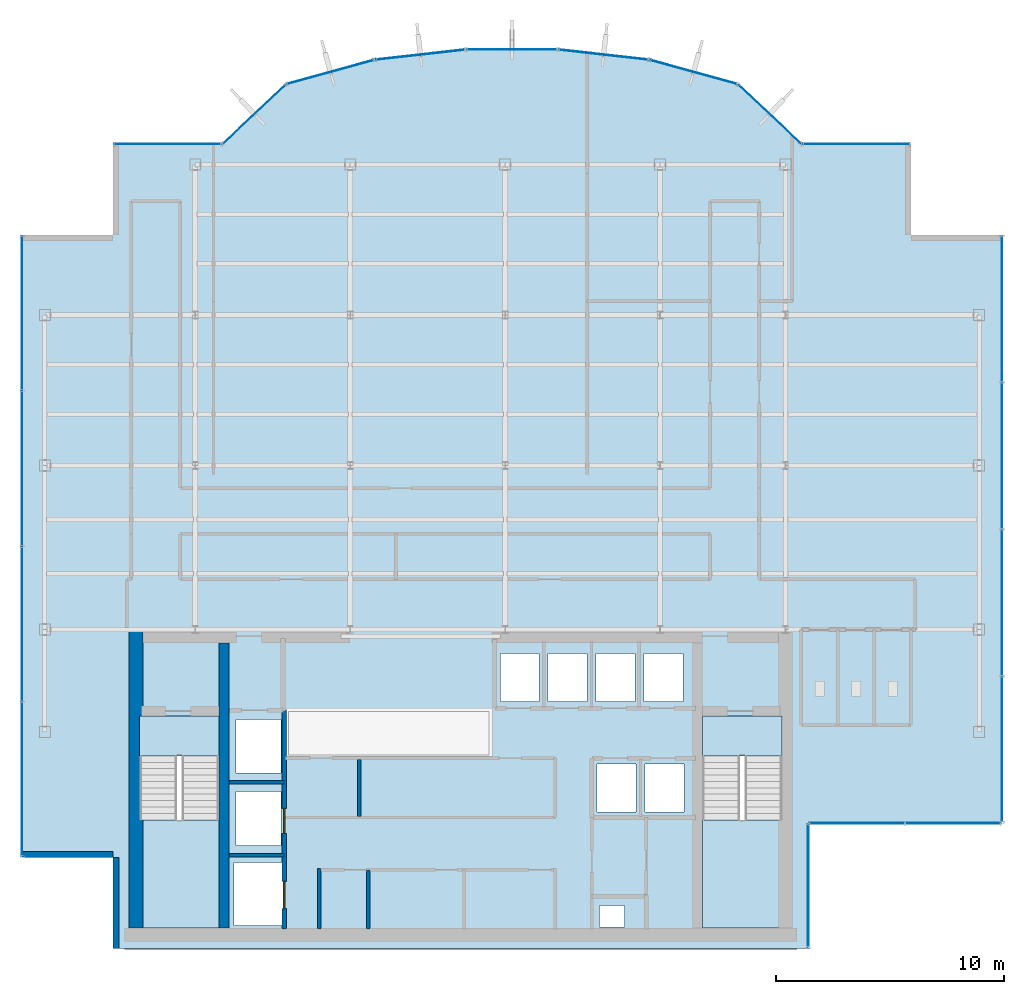
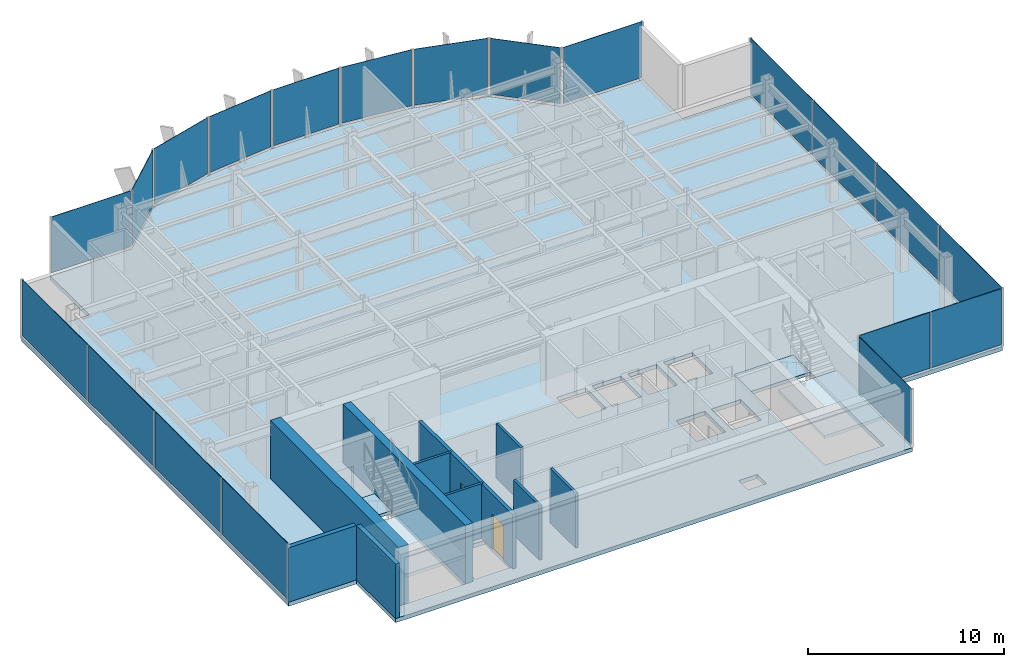
# One storey, part 16 of 22: 20 plates, 10 walls, 5 slabs, 2 doors, 2 openings, 15 elements without a shape of their own.
"""IFC4 building model written with IfcOpenShell, lengths in metres."""

from ifc_helpers import new_model, si_unit, derived_unit, direction, frame, frame_2d, origin, origin_2d, place, context, subcontext, project, spatial, polyline, rectangle, outline, extrude, source, transform, mapped, material, layer, layer_set, type_object, element, fill, aggregate, save


model = new_model("IFC4")

# Units and contexts
model_context = context("Model", 3, precision=1e-05, world=origin(), true_north=direction((0.0, 1.0)))
body_context = subcontext(model_context, "Body", "Model", "MODEL_VIEW")
ifc_project = project(units=[si_unit("LENGTHUNIT", "METRE"), si_unit("AREAUNIT", "SQUARE_METRE"), si_unit("VOLUMEUNIT", "CUBIC_METRE"), si_unit("PLANEANGLEUNIT", "RADIAN"), si_unit("MASSUNIT", "GRAM", prefix="KILO"), derived_unit("THERMALTRANSMITTANCEUNIT", [(si_unit("POWERUNIT", "WATT"), 1), (si_unit("LENGTHUNIT", "METRE"), -2), (si_unit("THERMODYNAMICTEMPERATUREUNIT", "KELVIN"), -1)])], contexts=[model_context])

# Site, building, storey
site_placement = place(None, origin())
site = spatial("IfcSite", under=ifc_project, at=site_placement, CompositionType="ELEMENT")
building_placement = place(site_placement, origin())
building = spatial("IfcBuilding", under=site, at=building_placement, Name="Skarnbrae Concourse Arena and Tower", CompositionType="ELEMENT")
storey_placement = place(building_placement, frame((0.0, 0.0, 284.35009765625)))
storey = spatial("IfcBuildingStorey", under=building, at=storey_placement, Name="L74", CompositionType="ELEMENT", Elevation=284.35009765625)

# Stair, slab
ifc_material_1 = material(Name="Concrete 40 MPa (C40/50)", Category="concrete")
stair_type = type_object("IfcStairType", Name="STAIR-DOGLEG-1650", PredefinedType="HALF_TURN_STAIR", material=ifc_material_1)
stair_1_placement = place(storey_placement, origin())
stair_1 = element("IfcStair", 1, at=stair_1_placement, inside=storey, type_object=stair_type, Name="L74 Protected Exit Stair ST-1", PredefinedType="HALF_TURN_STAIR")
ifc_layer_1 = layer(ifc_material_1, 0.199951171875)
ifc_layer_set_1 = layer_set([ifc_layer_1], Name="Concrete 40 MPa (C40/50)")
slab_type_1 = type_object("IfcSlabType", Name="SLAB-LANDING-200", PredefinedType="LANDING", material=ifc_layer_set_1)
slab_1_placement = place(storey_placement, frame((0.0, 0.0, 1.625)))
slab_1 = element("IfcSlab", 2, at=slab_1_placement, type_object=slab_type_1, Name="ST-1 landing 1", PredefinedType="LANDING", context=body_context, shape_type="SweptSolid", body=[
    extrude(outline(polyline([(5.14990234375, 5.64990234375), (5.14990234375, 0.89990234375), (8.64990234375, 0.89990234375), (8.64990234375, 5.64990234375), (5.14990234375, 5.64990234375)])), origin(), (0.0, 0.0, 1.0), 0.199951171875),
])
aggregate(stair_1, [slab_1])

stair_2_placement = place(storey_placement, origin())
stair_2 = element("IfcStair", 3, at=stair_2_placement, inside=storey, type_object=stair_type, Name="L74 Protected Exit Stair ST-2", PredefinedType="HALF_TURN_STAIR")
slab_2_placement = place(storey_placement, frame((0.0, 0.0, 1.625)))
slab_2 = element("IfcSlab", 4, at=slab_2_placement, type_object=slab_type_1, Name="ST-2 landing 1", PredefinedType="LANDING", context=body_context, shape_type="SweptSolid", body=[
    extrude(outline(polyline([(29.85009765625, 5.64990234375), (29.85009765625, 0.89990234375), (33.35009765625, 0.89990234375), (33.35009765625, 5.64990234375), (29.85009765625, 5.64990234375)])), origin(), (0.0, 0.0, 1.0), 0.199951171875),
])
aggregate(stair_2, [slab_2])

# Slabs
slab_3_placement = place(storey_placement, frame((0.0, 0.0, -0.2001953125)))
element("IfcSlab", 5, at=slab_3_placement, inside=storey, type_object=slab_type_1, Name="L74 Core stair ST1 floor landing", PredefinedType="LANDING", context=body_context, shape_type="SweptSolid", body=[
    extrude(outline(polyline([(5.14990234375, 10.199951171875), (5.14990234375, 8.449951171875), (8.64990234375, 8.449951171875), (8.64990234375, 10.199951171875), (5.14990234375, 10.199951171875)])), origin(), (0.0, 0.0, 1.0), 0.2001953125),
])
slab_4_placement = place(storey_placement, frame((0.0, 0.0, -0.2001953125)))
element("IfcSlab", 6, at=slab_4_placement, inside=storey, type_object=slab_type_1, Name="L74 Core stair ST2 floor landing", PredefinedType="LANDING", context=body_context, shape_type="SweptSolid", body=[
    extrude(outline(polyline([(29.85009765625, 10.199951171875), (29.85009765625, 8.449951171875), (33.35009765625, 8.449951171875), (33.35009765625, 10.199951171875), (29.85009765625, 10.199951171875)])), origin(), (0.0, 0.0, 1.0), 0.2001953125),
])
ifc_layer_2 = layer(ifc_material_1, 0.25)
ifc_layer_set_2 = layer_set([ifc_layer_2], Name="Concrete 40 MPa (C40/50)")
slab_type_2 = type_object("IfcSlabType", Name="SLAB-TOWER-250", PredefinedType="FLOOR", material=ifc_layer_set_2)
slab_5_placement = place(storey_placement, frame((0.0, 0.0, -0.25)))
element("IfcSlab", 7, at=slab_5_placement, inside=storey, type_object=slab_type_2, Name="L74 Structural floor slab", PredefinedType="FLOOR", context=body_context, shape_type="SweptSolid", body=[
    extrude(outline(polyline([(4.0, 0.0), (34.5, 0.0), (34.5, 5.5), (43.0, 5.5), (43.0, 31.300048828125), (39.0, 31.300048828125), (39.0, 35.300048828125), (34.199951171875, 35.300048828125), (31.40966796875, 37.9267578125), (27.52587890625, 38.9970703125), (23.51708984375, 39.44677734375), (19.48291015625, 39.44677734375), (15.47412109375, 38.9970703125), (11.59033203125, 37.9267578125), (8.800048828125, 35.300048828125), (4.0, 35.300048828125), (4.0, 31.300048828125), (0.0, 31.300048828125), (0.0, 4.0), (4.0, 4.0), (4.0, 0.0)]), holes=[polyline([(9.294921875, 1.02001953125), (9.294921875, 3.780029296875), (11.455078125, 3.780029296875), (11.455078125, 1.02001953125), (9.294921875, 1.02001953125)]), polyline([(8.64990234375, 10.199951171875), (8.64990234375, 0.89990234375), (5.14990234375, 0.89990234375), (5.14990234375, 10.199951171875), (8.64990234375, 10.199951171875)]), polyline([(9.39501953125, 6.8798828125), (11.35498046875, 6.8798828125), (11.35498046875, 4.52001953125), (9.39501953125, 4.52001953125), (9.39501953125, 6.8798828125)]), polyline([(9.39501953125, 7.695068359375), (9.39501953125, 10.054931640625), (11.35498046875, 10.054931640625), (11.35498046875, 7.695068359375), (9.39501953125, 7.695068359375)]), polyline([(20.985107421875, 12.955078125), (22.695068359375, 12.955078125), (22.695068359375, 10.844970703125), (20.985107421875, 10.844970703125), (20.985107421875, 12.955078125)]), polyline([(23.0849609375, 12.955078125), (24.794921875, 12.955078125), (24.794921875, 10.844970703125), (23.0849609375, 10.844970703125), (23.0849609375, 12.955078125)]), polyline([(25.35009765625, 0.949951171875), (25.35009765625, 1.889892578125), (26.43994140625, 1.889892578125), (26.43994140625, 0.949951171875), (25.35009765625, 0.949951171875)]), polyline([(33.35009765625, 10.199951171875), (33.35009765625, 0.89990234375), (29.85009765625, 0.89990234375), (29.85009765625, 10.199951171875), (33.35009765625, 10.199951171875)]), polyline([(25.235107421875, 8.10498046875), (26.945068359375, 8.10498046875), (26.945068359375, 5.9951171875), (25.235107421875, 5.9951171875), (25.235107421875, 8.10498046875)]), polyline([(27.3349609375, 5.9951171875), (27.3349609375, 8.10498046875), (29.044921875, 8.10498046875), (29.044921875, 5.9951171875), (27.3349609375, 5.9951171875)]), polyline([(25.18505859375, 12.955078125), (26.89501953125, 12.955078125), (26.89501953125, 10.844970703125), (25.18505859375, 10.844970703125), (25.18505859375, 12.955078125)]), polyline([(27.284912109375, 12.955078125), (28.9951171875, 12.955078125), (28.9951171875, 10.844970703125), (27.284912109375, 10.844970703125), (27.284912109375, 12.955078125)])]), origin(), (0.0, 0.0, 1.0), 0.25),
])

# Curtain wall, plate
ifc_material_2 = material(Name="Bronze anodised aluminium 6063-T6", Category="aluminium")
curtain_wall_type = type_object("IfcCurtainWallType", Name="CW-SYS-05-HIGHZONE", PredefinedType="USERDEFINED", material=ifc_material_2)
curtain_wall_1_placement = place(storey_placement, origin())
curtain_wall_1 = element("IfcCurtainWall", 8, at=curtain_wall_1_placement, inside=storey, type_object=curtain_wall_type, Name="L74 Unitised curtain wall CW-L74-E02", ObjectType="UNITISED CURTAIN WALL", PredefinedType="USERDEFINED")
ifc_material_3 = material(Name="Low-E triple insulating glass", Category="glass")
ifc_layer_3 = layer(ifc_material_3, 0.030029296875)
ifc_layer_set_3 = layer_set([ifc_layer_3], Name="Low-E triple insulating glass")
plate_type = type_object("IfcPlateType", Name="CWP-CW-05", PredefinedType="CURTAIN_PANEL", material=ifc_layer_set_3)
shared_shape_1 = source(origin(), body_context, "Body", "SweptSolid", [
    extrude(rectangle(XDim=5.35009765625, YDim=0.030029296875, at=origin_2d()), origin(), (0.0, 0.0, 1.0), 3.5),
])
plate_1_placement = place(storey_placement, frame((34.5, 2.75, 0.14990234375), z_axis=(0.0, 0.0, 1.0), x_axis=(0.0, 1.0, 0.0)))
plate_1 = element("IfcPlate", 9, at=plate_1_placement, type_object=plate_type, Name="CW-L74-E02 Low-E Glazing Panel 1", PredefinedType="CURTAIN_PANEL", context=body_context, shape_type="MappedRepresentation", body=[
    mapped(shared_shape_1, transform((0.0, 0.0, 0.0))),
])
aggregate(curtain_wall_1, [plate_1])

# Curtain wall, plates
curtain_wall_2_placement = place(storey_placement, origin())
curtain_wall_2 = element("IfcCurtainWall", 10, at=curtain_wall_2_placement, inside=storey, type_object=curtain_wall_type, Name="L74 Unitised curtain wall CW-L74-E03", ObjectType="UNITISED CURTAIN WALL", PredefinedType="USERDEFINED")
shared_shape_2 = source(origin(), body_context, "Body", "SweptSolid", [
    extrude(rectangle(XDim=4.137451171875, YDim=0.030029296875, at=origin_2d()), origin(), (0.0, 0.0, 1.0), 3.5),
])
plate_2_placement = place(storey_placement, frame((36.643798828125, 5.5, 0.14990234375), z_axis=(0.0, 0.0, 1.0), x_axis=(1.0, 0.0, 0.0)))
plate_2 = element("IfcPlate", 11, at=plate_2_placement, type_object=plate_type, Name="CW-L74-E03 Low-E Glazing Panel 1", PredefinedType="CURTAIN_PANEL", context=body_context, shape_type="MappedRepresentation", body=[
    mapped(shared_shape_2, transform((0.0, 0.0, 0.0))),
])
plate_3_placement = place(storey_placement, frame((40.856201171875, 5.5, 0.14990234375), z_axis=(0.0, 0.0, 1.0), x_axis=(1.0, 0.0, 0.0)))
plate_3 = element("IfcPlate", 12, at=plate_3_placement, type_object=plate_type, Name="CW-L74-E03 Low-E Glazing Panel 2", PredefinedType="CURTAIN_PANEL", context=body_context, shape_type="MappedRepresentation", body=[
    mapped(shared_shape_2, transform((0.0, 0.0, 0.0))),
])
aggregate(curtain_wall_2, [plate_2, plate_3])

# Curtain wall, plate
curtain_wall_3_placement = place(storey_placement, origin())
curtain_wall_3 = element("IfcCurtainWall", 13, at=curtain_wall_3_placement, inside=storey, type_object=curtain_wall_type, Name="L74 Unitised curtain wall CW-L74-E07", ObjectType="UNITISED CURTAIN WALL", PredefinedType="USERDEFINED")
shared_shape_3 = source(origin(), body_context, "Body", "SweptSolid", [
    extrude(rectangle(XDim=4.64990234375, YDim=0.030029296875, at=origin_2d()), origin(), (0.0, 0.0, 1.0), 3.5),
])
plate_4_placement = place(storey_placement, frame((36.60009765625, 35.300048828125, 0.14990234375), z_axis=(0.0, 0.0, 1.0), x_axis=(-1.0, 0.0, 0.0)))
plate_4 = element("IfcPlate", 14, at=plate_4_placement, type_object=plate_type, Name="CW-L74-E07 Low-E Glazing Panel 1", PredefinedType="CURTAIN_PANEL", context=body_context, shape_type="MappedRepresentation", body=[
    mapped(shared_shape_3, transform((0.0, 0.0, 0.0))),
])
aggregate(curtain_wall_3, [plate_4])

curtain_wall_4_placement = place(storey_placement, origin())
curtain_wall_4 = element("IfcCurtainWall", 15, at=curtain_wall_4_placement, inside=storey, type_object=curtain_wall_type, Name="L74 Unitised curtain wall CW-L74-E15", ObjectType="UNITISED CURTAIN WALL", PredefinedType="USERDEFINED")
plate_5_placement = place(storey_placement, frame((6.39990234375, 35.300048828125, 0.14990234375), z_axis=(0.0, 0.0, 1.0), x_axis=(-1.0, 0.0, 0.0)))
plate_5 = element("IfcPlate", 16, at=plate_5_placement, type_object=plate_type, Name="CW-L74-E15 Low-E Glazing Panel 1", PredefinedType="CURTAIN_PANEL", context=body_context, shape_type="MappedRepresentation", body=[
    mapped(shared_shape_3, transform((0.0, 0.0, 0.0))),
])
aggregate(curtain_wall_4, [plate_5])

curtain_wall_5_placement = place(storey_placement, origin())
curtain_wall_5 = element("IfcCurtainWall", 17, at=curtain_wall_5_placement, inside=storey, type_object=curtain_wall_type, Name="L74 Unitised curtain wall CW-L74-E08", ObjectType="UNITISED CURTAIN WALL", PredefinedType="USERDEFINED")
shared_shape_4 = source(origin(), body_context, "Body", "SweptSolid", [
    extrude(rectangle(XDim=3.68212890625, YDim=0.030029296875, at=origin_2d()), origin(), (0.0, 0.0, 1.0), 3.5),
])
plate_6_placement = place(storey_placement, frame((32.804931640625, 36.61328125, 0.14990234375), z_axis=(0.0, 0.0, 1.0), x_axis=(-0.728130555214, 0.685438468838, 0.0)))
plate_6 = element("IfcPlate", 18, at=plate_6_placement, type_object=plate_type, Name="CW-L74-E08 Low-E Glazing Panel 1", PredefinedType="CURTAIN_PANEL", context=body_context, shape_type="MappedRepresentation", body=[
    mapped(shared_shape_4, transform((0.0, 0.0, 0.0))),
])
aggregate(curtain_wall_5, [plate_6])

curtain_wall_6_placement = place(storey_placement, origin())
curtain_wall_6 = element("IfcCurtainWall", 19, at=curtain_wall_6_placement, inside=storey, type_object=curtain_wall_type, Name="L74 Unitised curtain wall CW-L74-E14", ObjectType="UNITISED CURTAIN WALL", PredefinedType="USERDEFINED")
plate_7_placement = place(storey_placement, frame((10.195068359375, 36.61328125, 0.14990234375), z_axis=(0.0, 0.0, 1.0), x_axis=(-0.728130555214, -0.685438468838, 0.0)))
plate_7 = element("IfcPlate", 20, at=plate_7_placement, type_object=plate_type, Name="CW-L74-E14 Low-E Glazing Panel 1", PredefinedType="CURTAIN_PANEL", context=body_context, shape_type="MappedRepresentation", body=[
    mapped(shared_shape_4, transform((0.0, 0.0, 0.0))),
])
aggregate(curtain_wall_6, [plate_7])

curtain_wall_7_placement = place(storey_placement, origin())
curtain_wall_7 = element("IfcCurtainWall", 21, at=curtain_wall_7_placement, inside=storey, type_object=curtain_wall_type, Name="L74 Unitised curtain wall CW-L74-E09", ObjectType="UNITISED CURTAIN WALL", PredefinedType="USERDEFINED")
shared_shape_5 = source(origin(), body_context, "Body", "SweptSolid", [
    extrude(rectangle(XDim=3.878662109375, YDim=0.030029296875, at=origin_2d()), origin(), (0.0, 0.0, 1.0), 3.5),
])
plate_8_placement = place(storey_placement, frame((29.4677734375, 38.4619140625, 0.14990234375), z_axis=(0.0, 0.0, 1.0), x_axis=(-0.964057388766, 0.265694093207, 0.0)))
plate_8 = element("IfcPlate", 22, at=plate_8_placement, type_object=plate_type, Name="CW-L74-E09 Low-E Glazing Panel 1", PredefinedType="CURTAIN_PANEL", context=body_context, shape_type="MappedRepresentation", body=[
    mapped(shared_shape_5, transform((0.0, 0.0, 0.0))),
])
aggregate(curtain_wall_7, [plate_8])

curtain_wall_8_placement = place(storey_placement, origin())
curtain_wall_8 = element("IfcCurtainWall", 23, at=curtain_wall_8_placement, inside=storey, type_object=curtain_wall_type, Name="L74 Unitised curtain wall CW-L74-E13", ObjectType="UNITISED CURTAIN WALL", PredefinedType="USERDEFINED")
plate_9_placement = place(storey_placement, frame((13.5322265625, 38.4619140625, 0.14990234375), z_axis=(0.0, 0.0, 1.0), x_axis=(-0.964057388766, -0.265694093207, 0.0)))
plate_9 = element("IfcPlate", 24, at=plate_9_placement, type_object=plate_type, Name="CW-L74-E13 Low-E Glazing Panel 1", PredefinedType="CURTAIN_PANEL", context=body_context, shape_type="MappedRepresentation", body=[
    mapped(shared_shape_5, transform((0.0, 0.0, 0.0))),
])
aggregate(curtain_wall_8, [plate_9])

curtain_wall_9_placement = place(storey_placement, origin())
curtain_wall_9 = element("IfcCurtainWall", 25, at=curtain_wall_9_placement, inside=storey, type_object=curtain_wall_type, Name="L74 Unitised curtain wall CW-L74-E10", ObjectType="UNITISED CURTAIN WALL", PredefinedType="USERDEFINED")
shared_shape_6 = source(origin(), body_context, "Body", "SweptSolid", [
    extrude(rectangle(XDim=3.8837890625, YDim=0.030029296875, at=origin_2d()), origin(), (0.0, 0.0, 1.0), 3.5),
])
plate_10_placement = place(storey_placement, frame((25.521484375, 39.221923828125, 0.14990234375), z_axis=(0.0, 0.0, 1.0), x_axis=(-0.993768891873, 0.111460259941, 0.0)))
plate_10 = element("IfcPlate", 26, at=plate_10_placement, type_object=plate_type, Name="CW-L74-E10 Low-E Glazing Panel 1", PredefinedType="CURTAIN_PANEL", context=body_context, shape_type="MappedRepresentation", body=[
    mapped(shared_shape_6, transform((0.0, 0.0, 0.0))),
])
aggregate(curtain_wall_9, [plate_10])

curtain_wall_10_placement = place(storey_placement, origin())
curtain_wall_10 = element("IfcCurtainWall", 27, at=curtain_wall_10_placement, inside=storey, type_object=curtain_wall_type, Name="L74 Unitised curtain wall CW-L74-E12", ObjectType="UNITISED CURTAIN WALL", PredefinedType="USERDEFINED")
plate_11_placement = place(storey_placement, frame((17.478515625, 39.221923828125, 0.14990234375), z_axis=(0.0, 0.0, 1.0), x_axis=(-0.993768891873, -0.111460259941, 0.0)))
plate_11 = element("IfcPlate", 28, at=plate_11_placement, type_object=plate_type, Name="CW-L74-E12 Low-E Glazing Panel 1", PredefinedType="CURTAIN_PANEL", context=body_context, shape_type="MappedRepresentation", body=[
    mapped(shared_shape_6, transform((0.0, 0.0, 0.0))),
])
aggregate(curtain_wall_10, [plate_11])

curtain_wall_11_placement = place(storey_placement, origin())
curtain_wall_11 = element("IfcCurtainWall", 29, at=curtain_wall_11_placement, inside=storey, type_object=curtain_wall_type, Name="L74 Unitised curtain wall CW-L74-E11", ObjectType="UNITISED CURTAIN WALL", PredefinedType="USERDEFINED")
shared_shape_7 = source(origin(), body_context, "Body", "SweptSolid", [
    extrude(rectangle(XDim=3.884521484375, YDim=0.030029296875, at=origin_2d()), origin(), (0.0, 0.0, 1.0), 3.5),
])
plate_12_placement = place(storey_placement, frame((21.5, 39.44677734375, 0.14990234375), z_axis=(0.0, 0.0, 1.0), x_axis=(-1.0, 0.0, 0.0)))
plate_12 = element("IfcPlate", 30, at=plate_12_placement, type_object=plate_type, Name="CW-L74-E11 Low-E Glazing Panel 1", PredefinedType="CURTAIN_PANEL", context=body_context, shape_type="MappedRepresentation", body=[
    mapped(shared_shape_7, transform((0.0, 0.0, 0.0))),
])
aggregate(curtain_wall_11, [plate_12])

# Curtain wall, plates
curtain_wall_12_placement = place(storey_placement, origin())
curtain_wall_12 = element("IfcCurtainWall", 31, at=curtain_wall_12_placement, inside=storey, type_object=curtain_wall_type, Name="L74 Unitised curtain wall CW-L74-E18", ObjectType="UNITISED CURTAIN WALL", PredefinedType="USERDEFINED")
shared_shape_8 = source(origin(), body_context, "Body", "SweptSolid", [
    extrude(rectangle(XDim=6.71240234375, YDim=0.030029296875, at=origin_2d()), origin(), (0.0, 0.0, 1.0), 3.5),
])
plate_13_placement = place(storey_placement, frame((0.0, 27.86865234375, 0.14990234375), z_axis=(0.0, 0.0, 1.0), x_axis=(0.0, -1.0, 0.0)))
plate_13 = element("IfcPlate", 32, at=plate_13_placement, type_object=plate_type, Name="CW-L74-E18 Low-E Glazing Panel 1", PredefinedType="CURTAIN_PANEL", context=body_context, shape_type="MappedRepresentation", body=[
    mapped(shared_shape_8, transform((0.0, 0.0, 0.0))),
])
plate_14_placement = place(storey_placement, frame((0.0, 7.431396484375, 0.14990234375), z_axis=(0.0, 0.0, 1.0), x_axis=(0.0, -1.0, 0.0)))
plate_14 = element("IfcPlate", 33, at=plate_14_placement, type_object=plate_type, Name="CW-L74-E18 Low-E Glazing Panel 4", PredefinedType="CURTAIN_PANEL", context=body_context, shape_type="MappedRepresentation", body=[
    mapped(shared_shape_8, transform((0.0, 0.0, 0.0))),
])
shared_shape_9 = source(origin(), body_context, "Body", "SweptSolid", [
    extrude(rectangle(XDim=6.75, YDim=0.030029296875, at=origin_2d()), origin(), (0.0, 0.0, 1.0), 3.5),
])
plate_15_placement = place(storey_placement, frame((0.0, 21.0625, 0.14990234375), z_axis=(0.0, 0.0, 1.0), x_axis=(0.0, -1.0, 0.0)))
plate_15 = element("IfcPlate", 34, at=plate_15_placement, type_object=plate_type, Name="CW-L74-E18 Low-E Glazing Panel 2", PredefinedType="CURTAIN_PANEL", context=body_context, shape_type="MappedRepresentation", body=[
    mapped(shared_shape_9, transform((0.0, 0.0, 0.0))),
])
plate_16_placement = place(storey_placement, frame((0.0, 14.237548828125, 0.14990234375), z_axis=(0.0, 0.0, 1.0), x_axis=(0.0, -1.0, 0.0)))
plate_16 = element("IfcPlate", 35, at=plate_16_placement, type_object=plate_type, Name="CW-L74-E18 Low-E Glazing Panel 3", PredefinedType="CURTAIN_PANEL", context=body_context, shape_type="MappedRepresentation", body=[
    mapped(shared_shape_9, transform((0.0, 0.0, 0.0))),
])
aggregate(curtain_wall_12, [plate_13, plate_15, plate_16, plate_14])

curtain_wall_13_placement = place(storey_placement, origin())
curtain_wall_13 = element("IfcCurtainWall", 36, at=curtain_wall_13_placement, inside=storey, type_object=curtain_wall_type, Name="L74 Unitised curtain wall CW-L74-E04", ObjectType="UNITISED CURTAIN WALL", PredefinedType="USERDEFINED")
shared_shape_10 = source(origin(), body_context, "Body", "SweptSolid", [
    extrude(rectangle(XDim=6.33740234375, YDim=0.030029296875, at=origin_2d()), origin(), (0.0, 0.0, 1.0), 3.5),
])
plate_17_placement = place(storey_placement, frame((43.0, 8.743896484375, 0.14990234375), z_axis=(0.0, 0.0, 1.0), x_axis=(0.0, 1.0, 0.0)))
plate_17 = element("IfcPlate", 37, at=plate_17_placement, type_object=plate_type, Name="CW-L74-E04 Low-E Glazing Panel 1", PredefinedType="CURTAIN_PANEL", context=body_context, shape_type="MappedRepresentation", body=[
    mapped(shared_shape_10, transform((0.0, 0.0, 0.0))),
])
plate_18_placement = place(storey_placement, frame((43.0, 28.05615234375, 0.14990234375), z_axis=(0.0, 0.0, 1.0), x_axis=(0.0, 1.0, 0.0)))
plate_18 = element("IfcPlate", 38, at=plate_18_placement, type_object=plate_type, Name="CW-L74-E04 Low-E Glazing Panel 4", PredefinedType="CURTAIN_PANEL", context=body_context, shape_type="MappedRepresentation", body=[
    mapped(shared_shape_10, transform((0.0, 0.0, 0.0))),
])
shared_shape_11 = source(origin(), body_context, "Body", "SweptSolid", [
    extrude(rectangle(XDim=6.375, YDim=0.030029296875, at=origin_2d()), origin(), (0.0, 0.0, 1.0), 3.5),
])
plate_19_placement = place(storey_placement, frame((43.0, 15.175048828125, 0.14990234375), z_axis=(0.0, 0.0, 1.0), x_axis=(0.0, 1.0, 0.0)))
plate_19 = element("IfcPlate", 39, at=plate_19_placement, type_object=plate_type, Name="CW-L74-E04 Low-E Glazing Panel 2", PredefinedType="CURTAIN_PANEL", context=body_context, shape_type="MappedRepresentation", body=[
    mapped(shared_shape_11, transform((0.0, 0.0, 0.0))),
])
plate_20_placement = place(storey_placement, frame((43.0, 21.625, 0.14990234375), z_axis=(0.0, 0.0, 1.0), x_axis=(0.0, 1.0, 0.0)))
plate_20 = element("IfcPlate", 40, at=plate_20_placement, type_object=plate_type, Name="CW-L74-E04 Low-E Glazing Panel 3", PredefinedType="CURTAIN_PANEL", context=body_context, shape_type="MappedRepresentation", body=[
    mapped(shared_shape_11, transform((0.0, 0.0, 0.0))),
])
aggregate(curtain_wall_13, [plate_17, plate_19, plate_20, plate_18])

# Walls
ifc_material_4 = material(Name="Concrete 50 MPa (C50/60)", Category="concrete")
ifc_layer_4 = layer(ifc_material_4, 0.60009765625)
ifc_layer_set_4 = layer_set([ifc_layer_4], Name="Concrete 50 MPa (C50/60)")
wall_type_1 = type_object("IfcWallType", Name="WALL-CORE-600-C50", PredefinedType="SHEAR", material=ifc_layer_set_4)
shared_shape_12 = source(origin(), body_context, "Body", "SweptSolid", [
    extrude(rectangle(XDim=13.10009765625, YDim=0.60009765625, at=frame_2d((6.550048828125, 0.0))), origin(), (0.0, 0.0, 1.0), 3.64990234375),
])
wall_1_placement = place(storey_placement, frame((5.0, 0.89990234375, 0.0), z_axis=(0.0, 0.0, 1.0), x_axis=(0.0, 1.0, 0.0)))
element("IfcWall", 41, at=wall_1_placement, inside=storey, type_object=wall_type_1, Name="L74 Rear core shear wall CW-W", PredefinedType="SHEAR", context=body_context, shape_type="MappedRepresentation", body=[
    mapped(shared_shape_12, transform((0.0, 0.0, 0.0))),
])
ifc_layer_5 = layer(ifc_material_4, 0.449951171875)
ifc_layer_set_5 = layer_set([ifc_layer_5], Name="Concrete 50 MPa (C50/60)")
wall_type_2 = type_object("IfcWallType", Name="WALL-CORE-450-C50", PredefinedType="SHEAR", material=ifc_layer_set_5)
shared_shape_13 = source(origin(), body_context, "Body", "SweptSolid", [
    extrude(rectangle(XDim=12.5, YDim=0.449951171875, at=frame_2d((6.25, 0.0))), origin(), (0.0, 0.0, 1.0), 3.64990234375),
])
wall_2_placement = place(storey_placement, frame((8.864990234375, 0.89990234375, 0.0), z_axis=(0.0, 0.0, 1.0), x_axis=(0.0, 1.0, 0.0)))
element("IfcWall", 42, at=wall_2_placement, inside=storey, type_object=wall_type_2, Name="L74 Rear core shear wall CW-WEB-W", PredefinedType="SHEAR", context=body_context, shape_type="MappedRepresentation", body=[
    mapped(shared_shape_13, transform((0.0, 0.0, 0.0))),
])
ifc_material_5 = material(Name="Precast concrete 40 MPa (C40/50)", Category="concrete")
ifc_layer_6 = layer(ifc_material_5, 0.25)
ifc_layer_set_6 = layer_set([ifc_layer_6], Name="Precast concrete 40 MPa (C40/50)")
wall_type_3 = type_object("IfcWallType", Name="WALL-EXT-SPANDREL-250", PredefinedType="STANDARD", material=ifc_layer_set_6)
shared_shape_14 = source(origin(), body_context, "Body", "SweptSolid", [
    extrude(rectangle(XDim=4.0, YDim=0.25, at=frame_2d((2.0, 0.0))), origin(), (0.0, 0.0, 1.0), 3.39990234375),
])
for number, where, z_axis, x_axis, name in (
    (43, (0.0, 4.125, 0.0), (0.0, 0.0, 1.0), (1.0, 0.0, 0.0), "L74 Notched corner insulated return wall 19"),
    (44, (4.125, 4.0, 0.0), (0.0, 0.0, 1.0), (0.0, -1.0, 0.0), "L74 Notched corner insulated return wall 20"),
):
    element("IfcWall", number, at=place(storey_placement, frame(where, z_axis=z_axis, x_axis=x_axis)), inside=storey, type_object=wall_type_3, Name=name, PredefinedType="STANDARD", context=body_context, shape_type="MappedRepresentation", body=[
        mapped(shared_shape_14, transform((0.0, 0.0, 0.0))),
    ])

# Wall, openings, doors
ifc_material_6 = material(Name="Gypsum board on cold-formed steel studs", Category="steel")
ifc_layer_7 = layer(ifc_material_6, 0.199951171875)
ifc_layer_set_7 = layer_set([ifc_layer_7], Name="Gypsum board on cold-formed steel studs")
wall_type_4 = type_object("IfcWallType", Name="WALL-PART-200-2HR", PredefinedType="PARTITIONING", material=ifc_layer_set_7)
shared_shape_15 = source(origin(), body_context, "Body", "SweptSolid", [
    extrude(rectangle(XDim=9.599853515625, YDim=0.199951171875, at=frame_2d((4.7998046875, 0.0))), origin(), (0.0, 0.0, 1.0), 3.39990234375),
])
wall_3_placement = place(storey_placement, frame((11.5, 0.85009765625, 0.0), z_axis=(0.0, 0.0, 1.0), x_axis=(0.0, 1.0, 0.0)))
wall_3 = element("IfcWall", 45, at=wall_3_placement, inside=storey, type_object=wall_type_4, Name="L74 Interior partition wall W-L74-FL-E", PredefinedType="PARTITIONING", context=body_context, shape_type="MappedRepresentation", body=[
    mapped(shared_shape_15, transform((0.0, 0.0, 0.0))),
])
opening_1_placement = place(wall_3_placement, frame((4.199951171875, 0.0, 0.0)))
opening_1 = element("IfcOpeningElement", 46, at=opening_1_placement, cuts=wall_3, Name="Opening LD-01", PredefinedType="OPENING", context=body_context, shape_type="SweptSolid", body=[
    extrude(rectangle(XDim=1.10009765625, YDim=2.14990234375, at=frame_2d((0.550048828125, 1.074951171875))), frame((0.0, 0.10986328125, 0.0), z_axis=(0.0, -1.0, 0.0), x_axis=(1.0, 0.0, 0.0)), (0.0, 0.0, 1.0), 0.219970703125),
])
opening_2_placement = place(wall_3_placement, frame((0.89990234375, 0.0, 0.0)))
opening_2 = element("IfcOpeningElement", 47, at=opening_2_placement, cuts=wall_3, Name="Opening LD-02", PredefinedType="OPENING", context=body_context, shape_type="SweptSolid", body=[
    extrude(rectangle(XDim=1.199951171875, YDim=2.14990234375, at=frame_2d((0.60009765625, 1.074951171875))), frame((0.0, 0.10986328125, 0.0), z_axis=(0.0, -1.0, 0.0), x_axis=(1.0, 0.0, 0.0)), (0.0, 0.0, 1.0), 0.219970703125),
])
ifc_material_7 = material(Name="Steel CSA G40.21 350W", Category="steel")
door_type_1 = type_object("IfcDoorType", Name="DOOR-LIFT-SLIDE-1100", OperationType="SLIDING_TO_LEFT", PredefinedType="DOOR", material=ifc_material_7)
shared_shape_16 = source(origin(), body_context, "Body", "SweptSolid", [
    extrude(rectangle(XDim=1.10009765625, YDim=2.14990234375, at=frame_2d((0.550048828125, 1.074951171875))), frame((0.0, 0.02490234375, 0.0), z_axis=(0.0, -1.0, 0.0), x_axis=(1.0, 0.0, 0.0)), (0.0, 0.0, 1.0), 0.050048828125),
])
door_1_placement = place(opening_1_placement, frame((1.10009765625, 0.0, 0.0), z_axis=(0.0, 0.0, 1.0), x_axis=(-1.0, 0.0, 0.0)))
door_1 = element("IfcDoor", 48, at=door_1_placement, inside=storey, type_object=door_type_1, Name="D-2237 Firefighting Lift Landing Door FL-02", OperationType="SLIDING_TO_LEFT", OverallHeight=2.14990234375, OverallWidth=1.10009765625, PredefinedType="DOOR", context=body_context, shape_type="MappedRepresentation", body=[
    mapped(shared_shape_16, transform((0.0, 0.0, 0.0))),
])
fill(opening_1, door_1)
door_type_2 = type_object("IfcDoorType", Name="DOOR-LIFT-SLIDE-1200", OperationType="SLIDING_TO_LEFT", PredefinedType="DOOR", material=ifc_material_7)
shared_shape_17 = source(origin(), body_context, "Body", "SweptSolid", [
    extrude(rectangle(XDim=1.199951171875, YDim=2.14990234375, at=frame_2d((0.60009765625, 1.074951171875))), frame((0.0, 0.02490234375, 0.0), z_axis=(0.0, -1.0, 0.0), x_axis=(1.0, 0.0, 0.0)), (0.0, 0.0, 1.0), 0.050048828125),
])
door_2_placement = place(opening_2_placement, frame((1.199951171875, 0.0, 0.0), z_axis=(0.0, 0.0, 1.0), x_axis=(-1.0, 0.0, 0.0)))
door_2 = element("IfcDoor", 49, at=door_2_placement, inside=storey, type_object=door_type_2, Name="D-2238 Service Lift Landing Door SV-01", OperationType="SLIDING_TO_LEFT", OverallHeight=2.14990234375, OverallWidth=1.199951171875, PredefinedType="DOOR", context=body_context, shape_type="MappedRepresentation", body=[
    mapped(shared_shape_17, transform((0.0, 0.0, 0.0))),
])
fill(opening_2, door_2)

# Walls
ifc_layer_8 = layer(ifc_material_6, 0.14990234375)
ifc_layer_set_8 = layer_set([ifc_layer_8], Name="Gypsum board on cold-formed steel studs")
wall_type_5 = type_object("IfcWallType", Name="WALL-PART-150", PredefinedType="PARTITIONING", material=ifc_layer_set_8)
shared_shape_18 = source(origin(), body_context, "Body", "SweptSolid", [
    extrude(rectangle(XDim=2.39990234375, YDim=0.14990234375, at=frame_2d((1.199951171875, 0.0))), origin(), (0.0, 0.0, 1.0), 3.39990234375),
])
for number, where, z_axis, x_axis, name in (
    (50, (9.10009765625, 4.10009765625, 0.0), (0.0, 0.0, 1.0), (1.0, 0.0, 0.0), "L74 Interior partition wall W-L74-FL-D1"),
    (51, (9.10009765625, 7.300048828125, 0.0), (0.0, 0.0, 1.0), (1.0, 0.0, 0.0), "L74 Interior partition wall W-L74-FL-D2"),
):
    element("IfcWall", number, at=place(storey_placement, frame(where, z_axis=z_axis, x_axis=x_axis)), inside=storey, type_object=wall_type_5, Name=name, PredefinedType="PARTITIONING", context=body_context, shape_type="MappedRepresentation", body=[
        mapped(shared_shape_18, transform((0.0, 0.0, 0.0))),
    ])
shared_shape_19 = source(origin(), body_context, "Body", "SweptSolid", [
    extrude(rectangle(XDim=2.599853515625, YDim=0.14990234375, at=frame_2d((1.2998046875, 0.0))), origin(), (0.0, 0.0, 1.0), 3.39990234375),
])
wall_4_placement = place(storey_placement, frame((15.199951171875, 0.85009765625, 0.0), z_axis=(0.0, 0.0, 1.0), x_axis=(0.0, 1.0, 0.0)))
element("IfcWall", 52, at=wall_4_placement, inside=storey, type_object=wall_type_5, Name="L74 Interior partition wall W-L74-B1M-C1", PredefinedType="PARTITIONING", context=body_context, shape_type="MappedRepresentation", body=[
    mapped(shared_shape_19, transform((0.0, 0.0, 0.0))),
])
shared_shape_20 = source(origin(), body_context, "Body", "SweptSolid", [
    extrude(rectangle(XDim=2.5, YDim=0.14990234375, at=frame_2d((1.25, 0.0))), origin(), (0.0, 0.0, 1.0), 3.39990234375),
])
wall_5_placement = place(storey_placement, frame((14.800048828125, 5.800048828125, 0.0), z_axis=(0.0, 0.0, 1.0), x_axis=(0.0, 1.0, 0.0)))
element("IfcWall", 53, at=wall_5_placement, inside=storey, type_object=wall_type_5, Name="L74 Interior partition wall W-L74-B2M-MID", PredefinedType="PARTITIONING", context=body_context, shape_type="MappedRepresentation", body=[
    mapped(shared_shape_20, transform((0.0, 0.0, 0.0))),
])
ifc_layer_9 = layer(ifc_material_6, 0.14990234375)
ifc_layer_set_9 = layer_set([ifc_layer_9], Name="Gypsum board on cold-formed steel studs")
wall_type_6 = type_object("IfcWallType", Name="WALL-PART-150-1HR", PredefinedType="PARTITIONING", material=ifc_layer_set_9)
shared_shape_21 = source(origin(), body_context, "Body", "SweptSolid", [
    extrude(rectangle(XDim=2.64990234375, YDim=0.14990234375, at=frame_2d((1.324951171875, 0.0))), origin(), (0.0, 0.0, 1.0), 3.39990234375),
])
wall_6_placement = place(storey_placement, frame((13.050048828125, 0.85009765625, 0.0), z_axis=(0.0, 0.0, 1.0), x_axis=(0.0, 1.0, 0.0)))
element("IfcWall", 54, at=wall_6_placement, inside=storey, type_object=wall_type_6, Name="L74 Interior partition wall W-L74-B1M-W", PredefinedType="PARTITIONING", context=body_context, shape_type="MappedRepresentation", body=[
    mapped(shared_shape_21, transform((0.0, 0.0, 0.0))),
])

save(model, "model.ifc")
